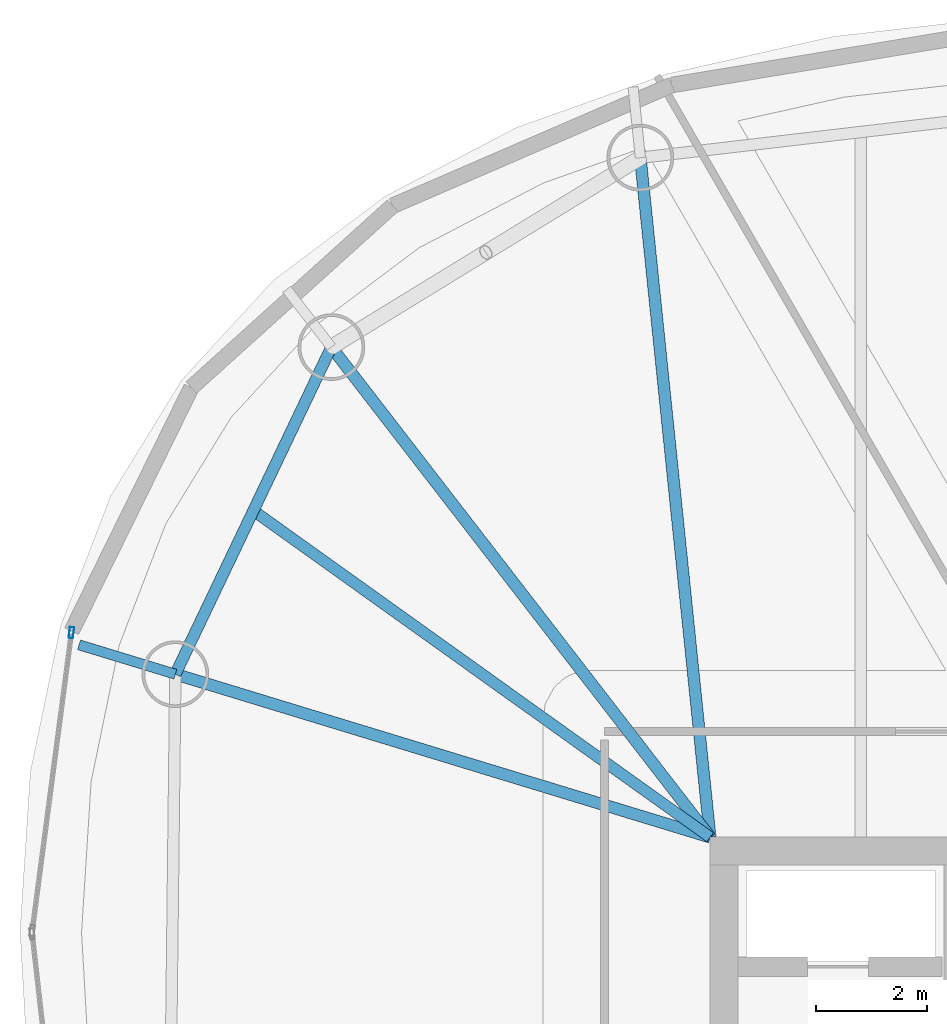
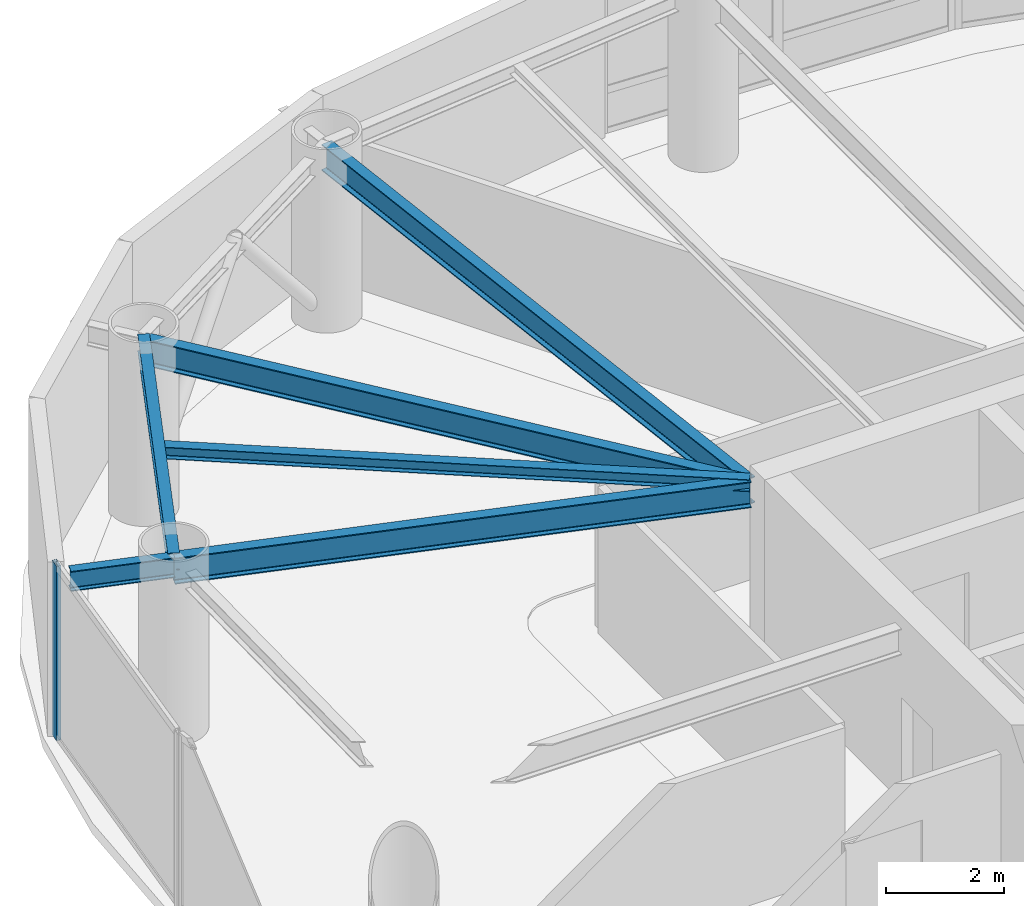
# One storey, part 10 of 20: 6 beams, 1 member, 1 element without a shape of its own.
"""IFC4 building model written with IfcOpenShell, lengths in metres."""

from ifc_helpers import new_model, si_unit, direction, frame, origin, origin_2d, place, context, subcontext, project, spatial, hollow_rectangle, i_section, extrude, material, layer, layer_set, material_profile, profile_set, type_object, element, aggregate, save


model = new_model("IFC4")

# Units and contexts
model_context = context("Model", 3, precision=1e-05, world=origin(), true_north=direction((0.0, 1.0)))
body_context = subcontext(model_context, "Body", "Model", "MODEL_VIEW")
ifc_project = project(units=[si_unit("LENGTHUNIT", "METRE"), si_unit("AREAUNIT", "SQUARE_METRE"), si_unit("VOLUMEUNIT", "CUBIC_METRE"), si_unit("PLANEANGLEUNIT", "RADIAN"), si_unit("MASSUNIT", "GRAM", prefix="KILO")], contexts=[model_context])

# Site, building, storey
site_placement = place(None, origin())
site = spatial("IfcSite", under=ifc_project, at=site_placement, CompositionType="ELEMENT")
building_placement = place(site_placement, origin())
building = spatial("IfcBuilding", under=site, at=building_placement, Name="Bramvorn Convention Spire", CompositionType="ELEMENT")
storey_placement = place(building_placement, frame((0.0, 0.0, 178.89990234375)))
storey = spatial("IfcBuildingStorey", under=building, at=storey_placement, Name="L45", CompositionType="ELEMENT", Elevation=178.89990234375)

# Beams
ifc_material_1 = material(Name="Steel CSA G40.21 Grade 350 (350W)", Category="steel")
ifc_material_profile_1 = material_profile(ifc_material_1, i_section(OverallWidth=0.201904296875, OverallDepth=0.2470703125, WebThickness=0.00732421875, FlangeThickness=0.010986328125, FilletRadius=0.011962890625, at=origin_2d()))
ifc_profile_set_1 = profile_set([ifc_material_profile_1], Name="Steel CSA G40.21 Grade 350 (350W) - W250X49")
beam_type_1 = type_object("IfcBeamType", Name="BM-W250X49", PredefinedType="JOIST", material=ifc_profile_set_1)
beam_1_placement = place(storey_placement, frame((26.75, 33.449951171875, 3.49658203125), z_axis=(-0.813471895271, 0.581604225916, 0.0), x_axis=(-0.581604225916, -0.813471895271, 0.0)))
element("IfcBeam", 1, at=beam_1_placement, inside=storey, type_object=beam_type_1, Name="L45 composite floor joist 09", PredefinedType="JOIST", context=body_context, shape_type="SweptSolid", body=[
    extrude(i_section(OverallWidth=0.201904296875, OverallDepth=0.2470703125, WebThickness=0.00732421875, FlangeThickness=0.010986328125, FilletRadius=0.011962890625, at=origin_2d()), origin(), (0.0, 0.0, 1.0), 10.093505859375),
])
ifc_material_profile_2 = material_profile(ifc_material_1, i_section(OverallWidth=0.205078125, OverallDepth=0.35400390625, WebThickness=0.009521484375, FlangeThickness=0.016845703125, FilletRadius=0.014892578125, at=origin_2d()))
ifc_profile_set_2 = profile_set([ifc_material_profile_2], Name="Steel CSA G40.21 Grade 350 (350W) - W360X79")
beam_type_2 = type_object("IfcBeamType", Name="BM-W360X79", PredefinedType="JOIST", material=ifc_profile_set_2)
beam_2_placement = place(storey_placement, frame((19.941650390625, 42.260009765625, 3.443115234375), z_axis=(-0.430556138422, -0.902563799223, 0.0), x_axis=(0.902563799223, -0.430556138422, 0.0)))
element("IfcBeam", 2, at=beam_2_placement, inside=storey, type_object=beam_type_2, Name="L45 mega-column ring beam 09", PredefinedType="JOIST", context=body_context, shape_type="SweptSolid", body=[
    extrude(i_section(OverallWidth=0.205078125, OverallDepth=0.35400390625, WebThickness=0.009521484375, FlangeThickness=0.016845703125, FilletRadius=0.014892578125, at=origin_2d()), origin(), (0.0, 0.0, 1.0), 6.51416015625),
])
ifc_material_profile_3 = material_profile(ifc_material_1, i_section(OverallWidth=0.180908203125, OverallDepth=0.4169921875, WebThickness=0.010986328125, FlangeThickness=0.018310546875, FilletRadius=0.01611328125, at=origin_2d()))
ifc_profile_set_3 = profile_set([ifc_material_profile_3], Name="Steel CSA G40.21 Grade 350 (350W) - W410X85")
beam_type_3 = type_object("IfcBeamType", Name="BM-W410X85", PredefinedType="JOIST", material=ifc_profile_set_3)
beam_3_placement = place(storey_placement, frame((17.136962890625, 36.380615234375, 3.376708984375), z_axis=(-0.95655130319, 0.291564065628, 0.0), x_axis=(-0.291564065628, -0.95655130319, 0.0)))
element("IfcBeam", 3, at=beam_3_placement, inside=storey, type_object=beam_type_3, Name="L45 Sky-Garden cantilever tip girder MC10", PredefinedType="JOIST", context=body_context, shape_type="SweptSolid", body=[
    extrude(i_section(OverallWidth=0.180908203125, OverallDepth=0.4169921875, WebThickness=0.010986328125, FlangeThickness=0.018310546875, FilletRadius=0.01611328125, at=origin_2d()), origin(), (0.0, 0.0, 1.0), 1.810302734375),
])
ifc_material_profile_4 = material_profile(ifc_material_1, i_section(OverallWidth=0.2119140625, OverallDepth=0.5439453125, WebThickness=0.01318359375, FlangeThickness=0.021240234375, FilletRadius=0.01904296875, at=origin_2d()))
ifc_profile_set_4 = profile_set([ifc_material_profile_4], Name="Steel CSA G40.21 Grade 350 (350W) - W530X123")
beam_type_4 = type_object("IfcBeamType", Name="BM-W530X123", PredefinedType="BEAM", material=ifc_profile_set_4)
beam_4_placement = place(storey_placement, frame((26.75, 33.449951171875, 3.31298828125), z_axis=(-0.10216509146, 0.994767457292, 0.0), x_axis=(-0.994767457292, -0.10216509146, 0.0)))
element("IfcBeam", 4, at=beam_4_placement, inside=storey, type_object=beam_type_4, Name="L45 Sky-Garden back-span radial girder MC08", PredefinedType="BEAM", context=body_context, shape_type="SweptSolid", body=[
    extrude(i_section(OverallWidth=0.2119140625, OverallDepth=0.5439453125, WebThickness=0.01318359375, FlangeThickness=0.021240234375, FilletRadius=0.01904296875, at=origin_2d()), origin(), (0.0, 0.0, 1.0), 12.278076171875),
])
beam_5_placement = place(storey_placement, frame((26.75, 33.449951171875, 3.31298828125), z_axis=(-0.611479951477, 0.791259925019, 0.0), x_axis=(-0.791259925019, -0.611479951477, 0.0)))
element("IfcBeam", 5, at=beam_5_placement, inside=storey, type_object=beam_type_4, Name="L45 Sky-Garden back-span radial girder MC09", PredefinedType="BEAM", context=body_context, shape_type="SweptSolid", body=[
    extrude(i_section(OverallWidth=0.2119140625, OverallDepth=0.5439453125, WebThickness=0.01318359375, FlangeThickness=0.021240234375, FilletRadius=0.01904296875, at=origin_2d()), origin(), (0.0, 0.0, 1.0), 11.13427734375),
])
beam_6_placement = place(storey_placement, frame((26.75, 33.449951171875, 3.31298828125), z_axis=(-0.95653637984, 0.291613021044, 0.0), x_axis=(-0.291613021044, -0.95653637984, 0.0)))
element("IfcBeam", 6, at=beam_6_placement, inside=storey, type_object=beam_type_4, Name="L45 Sky-Garden back-span radial girder MC10", PredefinedType="BEAM", context=body_context, shape_type="SweptSolid", body=[
    extrude(i_section(OverallWidth=0.2119140625, OverallDepth=0.5439453125, WebThickness=0.01318359375, FlangeThickness=0.021240234375, FilletRadius=0.01904296875, at=origin_2d()), origin(), (0.0, 0.0, 1.0), 10.0498046875),
])

# Curtain wall, member
ifc_material_2 = material(Name="Anodised Bronze Unitised Curtain Wall", Category="aluminium")
ifc_layer = layer(ifc_material_2, 0.179931640625)
ifc_layer_set = layer_set([ifc_layer], Name="Anodised Bronze Unitised Curtain Wall - CW-OFF-FRIT")
curtain_wall_type = type_object("IfcCurtainWallType", Name="CW-OFF-FRIT", PredefinedType="USERDEFINED", material=ifc_layer_set)
curtain_wall_placement = place(storey_placement, origin())
curtain_wall = element("IfcCurtainWall", 7, at=curtain_wall_placement, inside=storey, type_object=curtain_wall_type, Name="L45 fritted glass curtain wall 14", ObjectType="UNITISED CURTAIN WALL", PredefinedType="USERDEFINED")
ifc_material_3 = material(Name="Anodised Bronze Aluminium 6063-T6", Category="aluminium")
ifc_material_profile_5 = material_profile(ifc_material_3, hollow_rectangle(XDim=0.080078125, YDim=0.199951171875, WallThickness=0.00390625, InnerFilletRadius=0.0009765625, OuterFilletRadius=0.00390625, at=origin_2d()))
ifc_profile_set_5 = profile_set([ifc_material_profile_5], Name="Anodised Bronze Aluminium 6063-T6 - CWM80X200")
member_type = type_object("IfcMemberType", Name="CW-MUL-180", PredefinedType="MULLION", material=ifc_profile_set_5)
member_placement = place(storey_placement, frame((15.269287109375, 37.126953125, 0.0), z_axis=(0.0, 0.0, 1.0), x_axis=(-0.991453548082, 0.130460193143, 0.0)))
member = element("IfcMember", 8, at=member_placement, type_object=member_type, Name="CW3 mullion 2", PredefinedType="MULLION", context=body_context, shape_type="SweptSolid", body=[
    extrude(hollow_rectangle(XDim=0.080078125, YDim=0.199951171875, WallThickness=0.00390625, InnerFilletRadius=0.0009765625, OuterFilletRadius=0.00390625, at=origin_2d()), origin(), (0.0, 0.0, 1.0), 3.6201171875),
])
aggregate(curtain_wall, [member])

save(model, "model.ifc")
